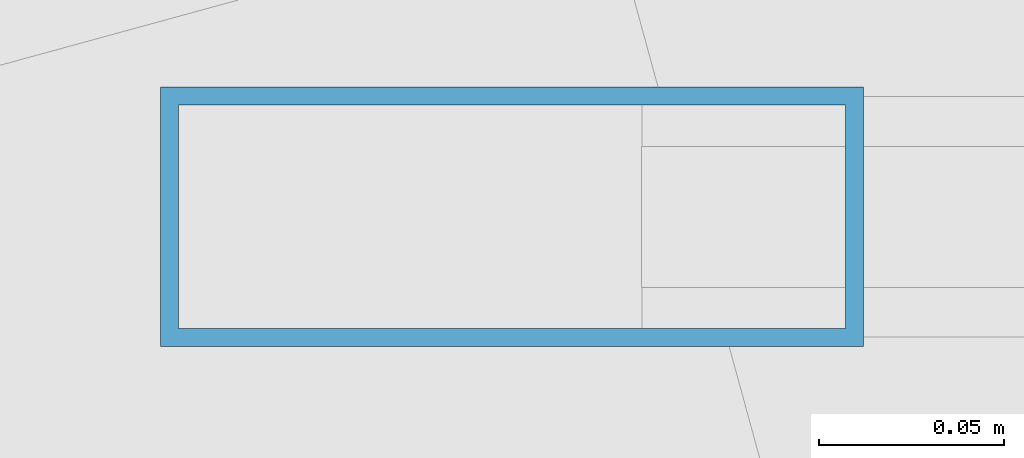
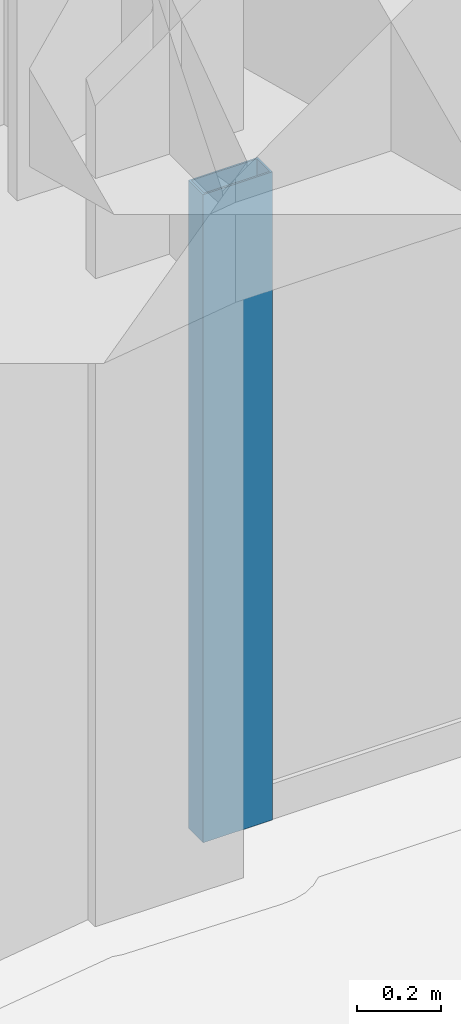
# One storey, part 11 of 19: 1 member, 1 element without a shape of its own.
"""IFC4 building model written with IfcOpenShell, lengths in metres."""

from ifc_helpers import new_model, si_unit, derived_unit, direction, frame, origin, origin_2d, place, context, subcontext, project, spatial, hollow_rectangle, extrude, source, transform, mapped, material, layer, layer_set, material_profile, profile_set, type_object, element, aggregate, save


model = new_model("IFC4")

# Units and contexts
model_context = context("Model", 3, precision=1e-05, world=origin(), true_north=direction((0.0, 1.0)))
body_context = subcontext(model_context, "Body", "Model", "MODEL_VIEW")
ifc_project = project(units=[si_unit("LENGTHUNIT", "METRE"), si_unit("AREAUNIT", "SQUARE_METRE"), si_unit("VOLUMEUNIT", "CUBIC_METRE"), si_unit("PLANEANGLEUNIT", "RADIAN"), si_unit("MASSUNIT", "GRAM", prefix="KILO"), derived_unit("THERMALTRANSMITTANCEUNIT", [(si_unit("POWERUNIT", "WATT"), 1), (si_unit("LENGTHUNIT", "METRE"), -2), (si_unit("THERMODYNAMICTEMPERATUREUNIT", "KELVIN"), -1)])], contexts=[model_context])

# Site, building, storey
site_placement = place(None, origin())
site = spatial("IfcSite", under=ifc_project, at=site_placement, CompositionType="ELEMENT")
building_placement = place(site_placement, origin())
building = spatial("IfcBuilding", under=site, at=building_placement, Name="Korsvarv Bourse and Concert Hall", CompositionType="ELEMENT")
storey_placement = place(building_placement, frame((0.0, 0.0, 223.800048828125)))
storey = spatial("IfcBuildingStorey", under=building, at=storey_placement, Name="L58", CompositionType="ELEMENT", Elevation=223.800048828125)

# Curtain wall, member
ifc_material_1 = material(Name="Anodised aluminium and triple low-E glazing", Category="glass")
ifc_layer = layer(ifc_material_1, 0.199951171875)
ifc_layer_set = layer_set([ifc_layer], Name="Anodised aluminium and triple low-E glazing")
curtain_wall_type = type_object("IfcCurtainWallType", Name="CW-SYS-3", PredefinedType="NOTDEFINED", material=ifc_layer_set)
curtain_wall_placement = place(storey_placement, origin())
curtain_wall = element("IfcCurtainWall", 1, at=curtain_wall_placement, inside=storey, type_object=curtain_wall_type, Name="L58 CW3 curtain wall CW-L58-F03", PredefinedType="NOTDEFINED")
ifc_material_2 = material(Name="Extruded aluminium EN AW-6063 T66", Category="aluminium")
ifc_material_profile = material_profile(ifc_material_2, hollow_rectangle(XDim=0.070068359375, YDim=0.18994140625, WallThickness=0.0048828125, at=origin_2d()), Name="ALU-M 70x190")
ifc_profile_set = profile_set([ifc_material_profile], Name="Extruded aluminium EN AW-6063 T66")
member_type = type_object("IfcMemberType", Name="CWM-190", PredefinedType="MULLION", material=ifc_profile_set)
shared_shape = source(origin(), body_context, "Body", "SweptSolid", [
    extrude(hollow_rectangle(XDim=0.070068359375, YDim=0.18994140625, WallThickness=0.0048828125, at=origin_2d()), origin(), (0.0, 0.0, 1.0), 1.8798828125),
])
member_placement = place(storey_placement, frame((34.368896484375, 51.449951171875, 0.0), z_axis=(0.0, 0.0, 1.0), x_axis=(0.0, -1.0, 0.0)))
member = element("IfcMember", 2, at=member_placement, type_object=member_type, Name="CW3 mullion 10", PredefinedType="MULLION", context=body_context, shape_type="MappedRepresentation", body=[
    mapped(shared_shape, transform((0.0, 0.0, 0.0), scale=1.0)),
])
aggregate(curtain_wall, [member])

save(model, "model.ifc")
